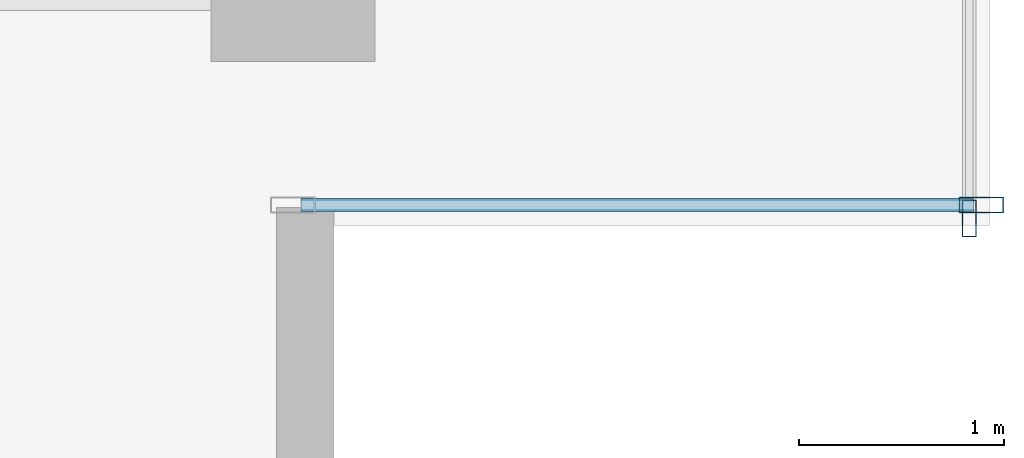
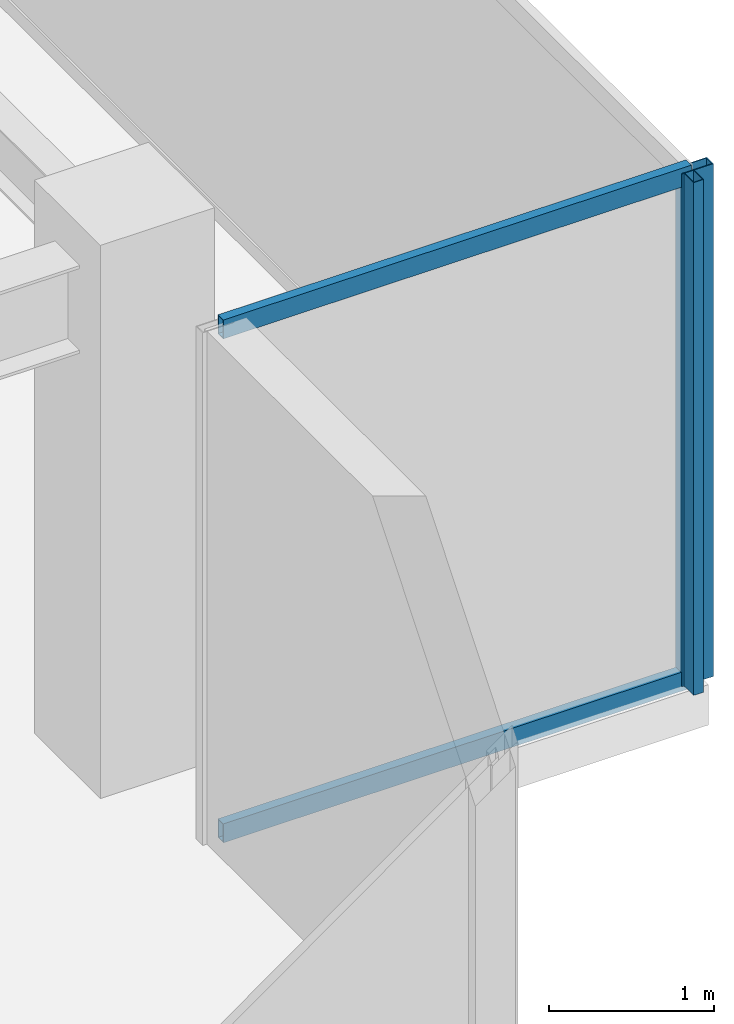
# One storey, part 22 of 33: 4 members, 2 elements without a shape of their own.
"""IFC4 building model written with IfcOpenShell, lengths in metres."""

from ifc_helpers import new_model, si_unit, direction, frame, origin, origin_2d, place, context, subcontext, project, spatial, hollow_rectangle, extrude, source, transform, mapped, material, layer, layer_set, material_profile, profile_set, type_object, type_shapes, element, aggregate, save


model = new_model("IFC4")

# Units and contexts
model_context = context("Model", 3, precision=1e-05, world=origin(), true_north=direction((0.0, 1.0)))
body_context = subcontext(model_context, "Body", "Model", "MODEL_VIEW")
ifc_project = project(units=[si_unit("LENGTHUNIT", "METRE"), si_unit("AREAUNIT", "SQUARE_METRE"), si_unit("VOLUMEUNIT", "CUBIC_METRE"), si_unit("PLANEANGLEUNIT", "RADIAN"), si_unit("MASSUNIT", "GRAM", prefix="KILO")], contexts=[model_context])

# Site, building, storey
site_placement = place(None, origin())
site = spatial("IfcSite", under=ifc_project, at=site_placement, CompositionType="ELEMENT")
building_placement = place(site_placement, origin())
building = spatial("IfcBuilding", under=site, at=building_placement, Name="Haelvirn Gate Laboratories", CompositionType="ELEMENT")
storey_placement = place(building_placement, frame((0.0, 0.0, 258.800048828125)))
storey = spatial("IfcBuildingStorey", under=building, at=storey_placement, Name="L62", CompositionType="ELEMENT", Elevation=258.800048828125)

# Curtain wall, members
ifc_material_1 = material(Name="Anodised bronze unitised aluminium & triple low-E glass", Category="aluminium")
ifc_layer_1 = layer(ifc_material_1, 0.181884765625, Name="CW-SYS-5")
ifc_layer_set_1 = layer_set([ifc_layer_1], Name="Anodised bronze unitised aluminium & triple low-E glass")
curtain_wall_type_1 = type_object("IfcCurtainWallType", Name="CW-SYS-5", PredefinedType="NOTDEFINED", material=ifc_layer_set_1)
curtain_wall_1_placement = place(storey_placement, origin())
curtain_wall_1 = element("IfcCurtainWall", 1, at=curtain_wall_1_placement, inside=storey, type_object=curtain_wall_type_1, Name="L62 Unitised Curtain Wall CW-L62-P0-E06-1", PredefinedType="NOTDEFINED")
ifc_material_2 = material(Name="Extruded aluminium 6063-T6 (anodised bronze)", Category="aluminium")
ifc_material_profile_1 = material_profile(ifc_material_2, hollow_rectangle(XDim=0.06494140625, YDim=0.139892578125, WallThickness=0.00390625, at=origin_2d()), Name="CWT-140x65x4")
ifc_profile_set_1 = profile_set([ifc_material_profile_1], Name="Extruded aluminium 6063-T6 (anodised bronze)")
member_type_1 = type_object("IfcMemberType", Name="CWT-T140", PredefinedType="USERDEFINED", material=ifc_profile_set_1)
shared_shape_1 = source(origin(), body_context, "Body", "SweptSolid", [
    extrude(hollow_rectangle(XDim=0.06494140625, YDim=0.139892578125, WallThickness=0.00390625, at=origin_2d()), origin(), (0.0, 0.0, 1.0), 3.280029296875),
])
type_shapes(member_type_1, [shared_shape_1])
member_1_placement = place(storey_placement, frame((67.43994140625, 5.89990234375, 0.032470703125), z_axis=(1.0, 0.0, 0.0), x_axis=(0.0, 1.0, 0.0)))
member_1 = element("IfcMember", 2, at=member_1_placement, type_object=member_type_1, Name="CW5 transom 1.1", ObjectType="TRANSOM", PredefinedType="USERDEFINED", context=body_context, shape_type="MappedRepresentation", body=[
    mapped(shared_shape_1, transform((0.0, 0.0, 0.0), scale=1.0)),
])
member_2_placement = place(storey_placement, frame((67.43994140625, 5.89990234375, 3.767333984375), z_axis=(1.0, 0.0, 0.0), x_axis=(0.0, 1.0, 0.0)))
member_2 = element("IfcMember", 3, at=member_2_placement, type_object=member_type_1, Name="CW5 transom 1.2", ObjectType="TRANSOM", PredefinedType="USERDEFINED", context=body_context, shape_type="MappedRepresentation", body=[
    mapped(shared_shape_1, transform((0.0, 0.0, 0.0), scale=1.0)),
])

# Curtain wall, member
ifc_layer_2 = layer(ifc_material_1, 0.176025390625, Name="CW-SYS-4")
ifc_layer_set_2 = layer_set([ifc_layer_2], Name="Anodised bronze unitised aluminium & triple low-E glass")
curtain_wall_type_2 = type_object("IfcCurtainWallType", Name="CW-SYS-4", PredefinedType="NOTDEFINED", material=ifc_layer_set_2)
curtain_wall_2_placement = place(storey_placement, origin())
curtain_wall_2 = element("IfcCurtainWall", 4, at=curtain_wall_2_placement, inside=storey, type_object=curtain_wall_type_2, Name="L62 Unitised Curtain Wall CW-L62-P0-E07", PredefinedType="NOTDEFINED")
ifc_material_profile_2 = material_profile(ifc_material_2, hollow_rectangle(XDim=0.070068359375, YDim=0.179931640625, WallThickness=0.0048828125, at=origin_2d()), Name="CWM-180x70x5")
ifc_profile_set_2 = profile_set([ifc_material_profile_2], Name="Extruded aluminium 6063-T6 (anodised bronze)")
member_type_2 = type_object("IfcMemberType", Name="CWM-T180", PredefinedType="MULLION", material=ifc_profile_set_2)
shared_shape_2 = source(origin(), body_context, "Body", "SweptSolid", [
    extrude(hollow_rectangle(XDim=0.070068359375, YDim=0.179931640625, WallThickness=0.0048828125, at=origin_2d()), origin(), (0.0, 0.0, 1.0), 3.800048828125),
])
type_shapes(member_type_2, [shared_shape_2])
member_3_placement = place(storey_placement, frame((70.699951171875, 5.8349609375, 0.0), z_axis=(0.0, 0.0, 1.0), x_axis=(-1.0, 0.0, 0.0)))
member_3 = element("IfcMember", 5, at=member_3_placement, type_object=member_type_2, Name="CW4 mullion 1", PredefinedType="MULLION", context=body_context, shape_type="MappedRepresentation", body=[
    mapped(shared_shape_2, transform((0.0, 0.0, 0.0), scale=1.0)),
])
aggregate(curtain_wall_2, [member_3])

# Member
ifc_material_profile_3 = material_profile(ifc_material_2, hollow_rectangle(XDim=0.080078125, YDim=0.219970703125, WallThickness=0.006103515625, at=origin_2d()), Name="CWM-220x80x6")
ifc_profile_set_3 = profile_set([ifc_material_profile_3], Name="Extruded aluminium 6063-T6 (anodised bronze)")
member_type_3 = type_object("IfcMemberType", Name="CWM-T220", PredefinedType="MULLION", material=ifc_profile_set_3)
shared_shape_3 = source(origin(), body_context, "Body", "SweptSolid", [
    extrude(hollow_rectangle(XDim=0.080078125, YDim=0.219970703125, WallThickness=0.006103515625, at=origin_2d()), origin(), (0.0, 0.0, 1.0), 3.800048828125),
])
type_shapes(member_type_3, [shared_shape_3])
member_4_placement = place(storey_placement, frame((70.760009765625, 5.89990234375, 0.0), z_axis=(0.0, 0.0, 1.0), x_axis=(0.0, 1.0, 0.0)))
member_4 = element("IfcMember", 6, at=member_4_placement, type_object=member_type_3, Name="CW5 mullion 2", PredefinedType="MULLION", context=body_context, shape_type="MappedRepresentation", body=[
    mapped(shared_shape_3, transform((0.0, 0.0, 0.0), scale=1.0)),
])

aggregate(curtain_wall_1, [member_4, member_1, member_2])

save(model, "model.ifc")
